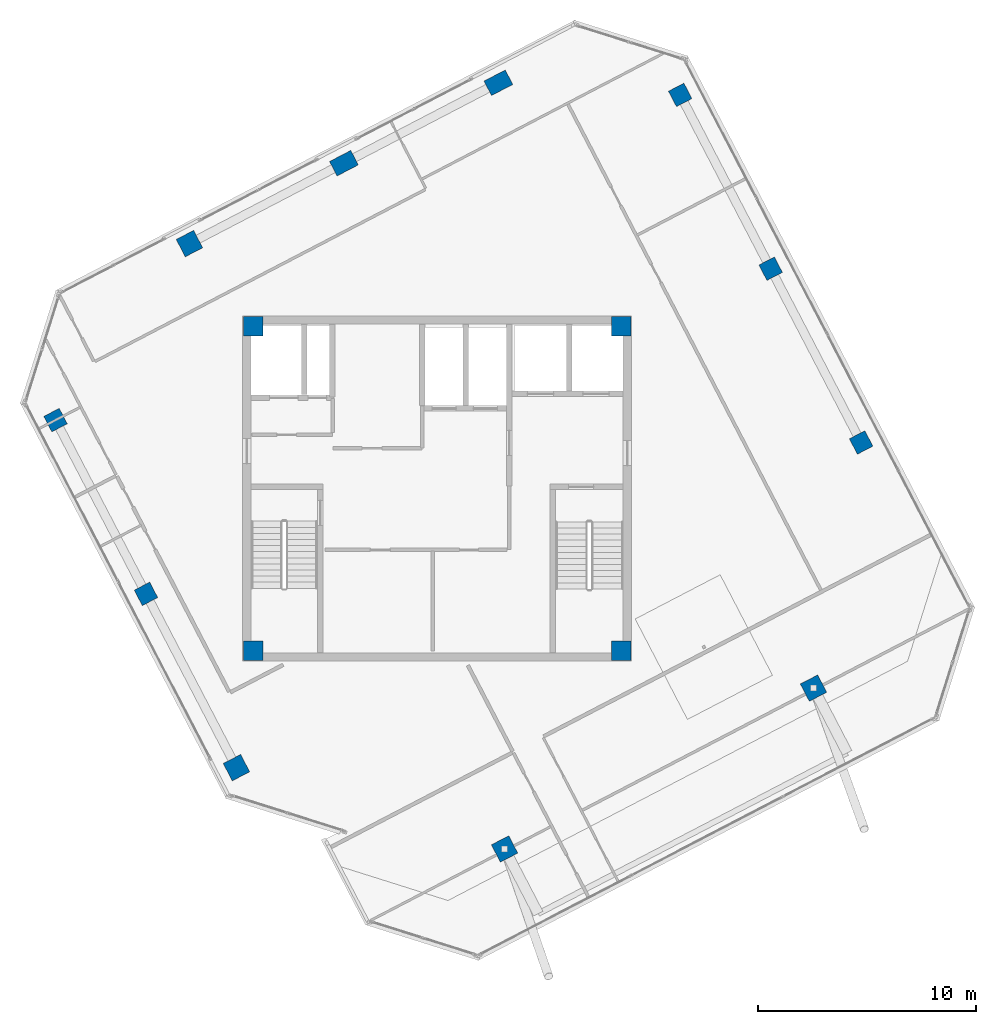
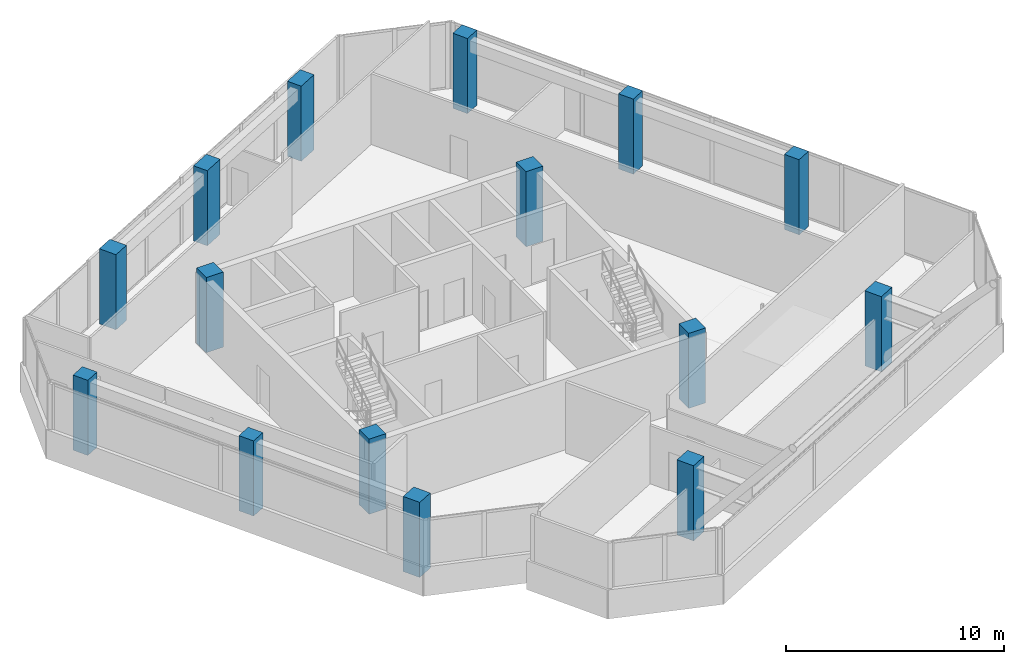
# One storey, part 1 of 17: 15 columns.
"""IFC4 building model written with IfcOpenShell, lengths in metres."""

import ifcopenshell
import ifcopenshell.guid

model = None  # the IFC model being written
_history = None  # IfcOwnerHistory: only IFC2X3 demands one
_inside = {}  # id of a spatial element -> (the spatial element, [elements in it])
_under = {}  # id of a project, library or spatial element -> (it, [spatial elements below it])
_declared = {}  # id of a project -> (the project, [libraries it declares])
_typed = {}  # id of a type object -> (the type object, [elements of that type])
_made_of = {}  # id of a material, layer set ... -> (it, [elements and type objects made of it])


def new_model(schema):
    """Start an empty IFC model of exactly this schema.

    Asked for "IFC4X3", IfcOpenShell would pick the latest addendum, in which some entities
    have other attributes; the version numbers below select the first issue.
    IFC2X3 requires an IfcOwnerHistory on every rooted entity: one is made here for all.
    """
    global model, _history
    if schema == "IFC4X3":
        model = ifcopenshell.file(schema_version=(4, 3, 0, 0))
    else:
        model = ifcopenshell.file(schema=schema)
    _inside.clear()
    _under.clear()
    _declared.clear()
    _typed.clear()
    _made_of.clear()
    _history = None
    if model.schema == "IFC2X3":
        org = make("IfcOrganization", Name="unknown")
        user = make(
            "IfcPersonAndOrganization",
            ThePerson=make("IfcPerson", FamilyName="unknown"),
            TheOrganization=org,
        )
        app = make(
            "IfcApplication",
            ApplicationDeveloper=org,
            Version="unknown",
            ApplicationFullName="unknown",
            ApplicationIdentifier="unknown",
        )
        _history = make(
            "IfcOwnerHistory",
            OwningUser=user,
            OwningApplication=app,
            ChangeAction="ADDED",
            CreationDate=0,
        )
    return model


def make(cls, **values):
    """One entity of the class cls with the attributes given. An attribute that is None is left unset."""
    return model.create_entity(
        cls, **{name: value for name, value in values.items() if value is not None}
    )


def rooted(cls, **values):
    """An entity with a GlobalId (a new one), such as an element, a storey or a relation."""
    return make(cls, GlobalId=ifcopenshell.guid.new(), OwnerHistory=_history, **values)


def si_unit(unit_type, name, prefix=None):
    """IfcSIUnit, for example si_unit("LENGTHUNIT", "METRE", prefix="MILLI")."""
    return make("IfcSIUnit", UnitType=unit_type, Prefix=prefix, Name=name)


def assignment(units):
    """IfcUnitAssignment: the units of a project."""
    return None if units is None else make("IfcUnitAssignment", Units=units)


def point(xyz):
    """IfcCartesianPoint."""
    return None if xyz is None else make("IfcCartesianPoint", Coordinates=xyz)


def direction(xyz):
    """IfcDirection."""
    return None if xyz is None else make("IfcDirection", DirectionRatios=xyz)


def frame(location, z_axis=None, x_axis=None):
    """IfcAxis2Placement3D, a coordinate frame: its origin and axes. An axis left out is left unset."""
    return make(
        "IfcAxis2Placement3D",
        Location=point(location),
        Axis=direction(z_axis),
        RefDirection=direction(x_axis),
    )


def frame_2d(location, x_axis=None):
    """IfcAxis2Placement2D, a coordinate frame in the plane: its origin and x axis."""
    return make(
        "IfcAxis2Placement2D", Location=point(location), RefDirection=direction(x_axis)
    )


def origin():
    """The frame at (0, 0, 0) with its axes left unset."""
    return frame((0.0, 0.0, 0.0))


def origin_2d():
    """The frame at (0, 0) in the plane with its x axis left unset."""
    return frame_2d((0.0, 0.0))


def place(relative_to, where):
    """IfcLocalPlacement: puts the frame where relative to a parent placement (None: the world)."""
    return make(
        "IfcLocalPlacement", PlacementRelTo=relative_to, RelativePlacement=where
    )


def context(
    kind, dimensions, precision=None, world=None, true_north=None, identifier=None
):
    """IfcGeometricRepresentationContext, for example the 3D "Model" context."""
    return make(
        "IfcGeometricRepresentationContext",
        ContextIdentifier=identifier,
        ContextType=kind,
        CoordinateSpaceDimension=dimensions,
        Precision=precision,
        WorldCoordinateSystem=world,
        TrueNorth=true_north,
    )


def subcontext(parent, identifier, kind, view, scale=None):
    """IfcGeometricRepresentationSubContext, for example "Body" below "Model"."""
    return make(
        "IfcGeometricRepresentationSubContext",
        ContextIdentifier=identifier,
        ContextType=kind,
        ParentContext=parent,
        TargetScale=scale,
        TargetView=view,
    )


def project(units=None, contexts=None):
    """IfcProject with its units and contexts."""
    return rooted(
        "IfcProject",
        Name="project",
        RepresentationContexts=contexts,
        UnitsInContext=assignment(units),
    )


def spatial(cls, under=None, at=None, **own):
    """A site, building, storey or space (cls), placed at a placement, below another one or the project."""
    s = rooted(cls, ObjectPlacement=at, **own)
    if under is not None:
        _under.setdefault(under.id(), (under, []))[1].append(s)
    return s


def profile(cls, at=None, kind="AREA", **sizes):
    """A parametric profile (cls). Its sizes go by their IFC names, for example OverallWidth=200.0."""
    return make(cls, ProfileType=kind, Position=at, **sizes)


def rectangle(**sizes):
    """IfcRectangleProfileDef."""
    return profile("IfcRectangleProfileDef", **sizes)


def extrude(swept, where, along, depth):
    """IfcExtrudedAreaSolid: the profile swept, set in the frame where, extruded along a direction by depth."""
    return make(
        "IfcExtrudedAreaSolid",
        SweptArea=swept,
        Position=where,
        ExtrudedDirection=direction(along),
        Depth=depth,
    )


def shape(context_of_items, identifier, shape_type, items):
    """IfcShapeRepresentation: the items that make up one representation, for example the "Body"."""
    return make(
        "IfcShapeRepresentation",
        ContextOfItems=context_of_items,
        RepresentationIdentifier=identifier,
        RepresentationType=shape_type,
        Items=items,
    )


def source(mapping_origin, context_of_items, identifier, shape_type, items):
    """IfcRepresentationMap: a shape defined once, which mapped items show again and again."""
    return make(
        "IfcRepresentationMap",
        MappingOrigin=mapping_origin,
        MappedRepresentation=shape(context_of_items, identifier, shape_type, items),
    )


def transform(
    local_origin,
    x_axis=None,
    y_axis=None,
    z_axis=None,
    scale=None,
    scale2=None,
    scale3=None,
    uniform=True,
):
    """IfcCartesianTransformationOperator3D, or its non-uniform kind. x_axis, y_axis, z_axis: its Axis1, 2, 3."""
    if uniform:
        return make(
            "IfcCartesianTransformationOperator3D",
            Axis1=direction(x_axis),
            Axis2=direction(y_axis),
            LocalOrigin=point(local_origin),
            Scale=scale,
            Axis3=direction(z_axis),
        )
    return make(
        "IfcCartesianTransformationOperator3DnonUniform",
        Axis1=direction(x_axis),
        Axis2=direction(y_axis),
        LocalOrigin=point(local_origin),
        Scale=scale,
        Axis3=direction(z_axis),
        Scale2=scale2,
        Scale3=scale3,
    )


def mapped(mapping_source, mapping_target):
    """IfcMappedItem: shows the shape of a source again, moved by a transform."""
    return make(
        "IfcMappedItem", MappingSource=mapping_source, MappingTarget=mapping_target
    )


def material(Name=None, Category=None):
    """IfcMaterial."""
    return make("IfcMaterial", Name=Name, Category=Category)


def material_profile(
    of_material, cross_section, Name=None, Category=None, Priority=None
):
    """IfcMaterialProfile: a cross section and its material."""
    return make(
        "IfcMaterialProfile",
        Name=Name,
        Material=of_material,
        Profile=cross_section,
        Priority=Priority,
        Category=Category,
    )


def profile_set(profiles, Name=None, composite=None):
    """IfcMaterialProfileSet."""
    return make(
        "IfcMaterialProfileSet",
        Name=Name,
        MaterialProfiles=profiles,
        CompositeProfile=composite,
    )


def made_of(thing, what):
    """Note that an element or type object is made of a material, layer set ...; save() writes the relation."""
    if what is not None:
        _made_of.setdefault(what.id(), (what, []))[1].append(thing)
    return thing


def type_object(cls, material=None, **own):
    """A type object (cls), such as IfcWallType, which elements share."""
    return made_of(rooted(cls, **own), material)


def element(
    cls,
    number,
    at=None,
    inside=None,
    cuts=None,
    type_object=None,
    material=None,
    context=None,
    identifier="Body",
    shape_type=None,
    held_by="IfcProductDefinitionShape",
    body=None,
    shapes=None,
    **own,
):
    """One element of the class cls, such as IfcWall. Its Tag is "e" and its number.

    at: its placement. inside: the storey or other place that contains it. cuts: it is an
    opening in that element (IfcRelVoidsElement). A single representation is given by context,
    identifier, shape_type and body (its items); several are given by shapes. held_by: the class
    of the entity that holds the representations. save() writes the other relations.
    """
    e = rooted(cls, Tag="e%d" % number, ObjectPlacement=at, **own)
    if body is not None:
        shapes = [shape(context, identifier, shape_type, body)]
    if shapes is not None:
        e.Representation = make(held_by, Representations=shapes)
    if inside is not None:
        _inside.setdefault(inside.id(), (inside, []))[1].append(e)
    if cuts is not None:
        rooted(
            "IfcRelVoidsElement", RelatingBuildingElement=cuts, RelatedOpeningElement=e
        )
    if type_object is not None:
        _typed.setdefault(type_object.id(), (type_object, []))[1].append(e)
    return made_of(e, material)


def aggregate(whole, parts):
    """IfcRelAggregates: a whole, such as a stair, and the parts it consists of."""
    return rooted("IfcRelAggregates", RelatingObject=whole, RelatedObjects=parts)


def save(model, path):
    """Write the relations noted so far, then the file.

    IfcRelAggregates (storeys below a building ...), IfcRelContainedInSpatialStructure (elements
    in a storey), IfcRelDefinesByType, IfcRelAssociatesMaterial and IfcRelDeclares: one each for
    every whole, place, type object, material and project.
    """
    for whole, parts in _under.values():
        aggregate(whole, parts)
    for where, things in _inside.values():
        rooted(
            "IfcRelContainedInSpatialStructure",
            RelatedElements=things,
            RelatingStructure=where,
        )
    for kind, things in _typed.values():
        rooted("IfcRelDefinesByType", RelatedObjects=things, RelatingType=kind)
    for what, things in _made_of.values():
        rooted("IfcRelAssociatesMaterial", RelatedObjects=things, RelatingMaterial=what)
    for by, libraries in _declared.values():
        rooted("IfcRelDeclares", RelatingContext=by, RelatedDefinitions=libraries)
    model.write(path)


model = new_model("IFC4")

# Units and contexts
model_context = context("Model", 3, precision=1e-05, world=origin(), true_north=direction((0.0, 1.0)))
body_context = subcontext(model_context, "Body", "Model", "MODEL_VIEW")
ifc_project = project(units=[si_unit("LENGTHUNIT", "METRE"), si_unit("AREAUNIT", "SQUARE_METRE"), si_unit("VOLUMEUNIT", "CUBIC_METRE"), si_unit("PLANEANGLEUNIT", "RADIAN"), si_unit("MASSUNIT", "GRAM", prefix="KILO")], contexts=[model_context])

# Site, building, storey
site_placement = place(None, origin())
site = spatial("IfcSite", under=ifc_project, at=site_placement, CompositionType="ELEMENT")
building_placement = place(site_placement, origin())
building = spatial("IfcBuilding", under=site, at=building_placement, Name="Torre Montelarca", CompositionType="ELEMENT")
storey_placement = place(building_placement, frame((0.0, 0.0, 332.39990234375)))
storey = spatial("IfcBuildingStorey", under=building, at=storey_placement, Name="L75", CompositionType="ELEMENT", Elevation=332.39990234375)

# Columns
ifc_material_1 = material(Name="Concrete C55/67", Category="concrete")
ifc_material_profile_1 = material_profile(ifc_material_1, rectangle(XDim=0.89990234375, YDim=0.89990234375, at=origin_2d()), Name="RC900X900", Category="concrete")
ifc_profile_set_1 = profile_set([ifc_material_profile_1], Name="Concrete C55/67")
column_type_1 = type_object("IfcColumnType", Name="COL-RC900", PredefinedType="COLUMN", material=ifc_profile_set_1)
shared_shape_1 = source(origin(), body_context, "Body", "SweptSolid", [
    extrude(rectangle(XDim=0.89990234375, YDim=0.89990234375, at=origin_2d()), origin(), (0.0, 0.0, 1.0), 4.19873046875),
])
for number, where, z_axis, x_axis, name in (
    (1, (9.550048828125, 24.550048828125, 0.000732421875), (0.0, 0.0, 1.0), (1.0, 0.0, 0.0), "L75 Plumb Core Corner Column 2D"),
    (2, (26.449951171875, 24.550048828125, 0.000732421875), (0.0, 0.0, 1.0), (1.0, 0.0, 0.0), "L75 Plumb Core Corner Column 4D"),
    (3, (9.550048828125, 39.449951171875, 0.000732421875), (0.0, 0.0, 1.0), (1.0, 0.0, 0.0), "L75 Plumb Core Corner Column 2F"),
    (4, (26.449951171875, 39.449951171875, 0.000732421875), (0.0, 0.0, 1.0), (1.0, 0.0, 0.0), "L75 Plumb Core Corner Column 4F"),
):
    element("IfcColumn", number, at=place(storey_placement, frame(where, z_axis=z_axis, x_axis=x_axis)), inside=storey, type_object=column_type_1, Name=name, PredefinedType="COLUMN", context=body_context, shape_type="MappedRepresentation", body=[
        mapped(shared_shape_1, transform((0.0, 0.0, 0.0), scale=1.0)),
    ])
ifc_material_profile_2 = material_profile(ifc_material_1, rectangle(XDim=0.89990234375, YDim=0.89990234375, at=origin_2d()), Name="RC900X900", Category="concrete")
ifc_profile_set_2 = profile_set([ifc_material_profile_2], Name="Concrete C55/67")
column_type_2 = type_object("IfcColumnType", Name="COL-RC900-EXT", PredefinedType="COLUMN", material=ifc_profile_set_2)
shared_shape_2 = source(origin(), body_context, "Body", "SweptSolid", [
    extrude(rectangle(XDim=0.89990234375, YDim=0.89990234375, at=origin_2d()), origin(), (0.0, 0.0, 1.0), 4.19873046875),
])
for number, where, z_axis, x_axis, name in (
    (5, (8.782958984375, 19.179443359375, 0.000732421875), (0.0, 0.0, 1.0), (-0.461748613235, 0.887010833178, 0.0), "L75 Column 4/CS"),
    (6, (21.099365234375, 15.4443359375, 0.000732421875), (0.0, 0.0, 1.0), (-0.461748613235, 0.887010833178, 0.0), "L75 Column 5/D"),
    (7, (35.29150390625, 22.832275390625, 0.000732421875), (0.0, 0.0, 1.0), (-0.461748613235, 0.887010833178, 0.0), "L75 Column 5/F"),
    (8, (6.623291015625, 43.252197265625, 0.000732421875), (0.0, 0.0, 1.0), (-0.461748613235, 0.887010833178, 0.0), "L75 Column 1W/D"),
):
    element("IfcColumn", number, at=place(storey_placement, frame(where, z_axis=z_axis, x_axis=x_axis)), inside=storey, type_object=column_type_2, Name=name, PredefinedType="COLUMN", context=body_context, shape_type="MappedRepresentation", body=[
        mapped(shared_shape_2, transform((0.0, 0.0, 0.0), scale=1.0)),
    ])
ifc_material_2 = material(Name="Concrete C40/50", Category="concrete")
ifc_material_profile_3 = material_profile(ifc_material_2, rectangle(XDim=0.75, YDim=1.10009765625, at=origin_2d()), Name="RC1100X750", Category="concrete")
ifc_profile_set_3 = profile_set([ifc_material_profile_3], Name="Concrete C40/50")
column_type_3 = type_object("IfcColumnType", Name="COL-PIL1100-EXT", PredefinedType="PILASTER", material=ifc_profile_set_3)
shared_shape_3 = source(origin(), body_context, "Body", "SweptSolid", [
    extrude(rectangle(XDim=0.75, YDim=1.10009765625, at=origin_2d()), origin(), (0.0, 0.0, 1.0), 4.19873046875),
])
for number, where, z_axis, x_axis, name in (
    (9, (13.719482421875, 46.946044921875, 0.000732421875), (0.0, 0.0, 1.0), (-0.461748613235, 0.887010833178, 0.0), "L75 Column 1W/E"),
    (10, (20.815673828125, 50.64013671875, 0.000732421875), (0.0, 0.0, 1.0), (-0.461748613235, 0.887010833178, 0.0), "L75 Column 1W/F"),
):
    element("IfcColumn", number, at=place(storey_placement, frame(where, z_axis=z_axis, x_axis=x_axis)), inside=storey, type_object=column_type_3, Name=name, PredefinedType="PILASTER", context=body_context, shape_type="MappedRepresentation", body=[
        mapped(shared_shape_3, transform((0.0, 0.0, 0.0), scale=1.0)),
    ])
ifc_material_profile_4 = material_profile(ifc_material_2, rectangle(XDim=0.800048828125, YDim=0.800048828125, at=origin_2d()), Name="RC800X800", Category="concrete")
ifc_profile_set_4 = profile_set([ifc_material_profile_4], Name="Concrete C40/50")
column_type_4 = type_object("IfcColumnType", Name="COL-RC800-EXT", PredefinedType="COLUMN", material=ifc_profile_set_4)
shared_shape_4 = source(origin(), body_context, "Body", "SweptSolid", [
    extrude(rectangle(XDim=0.800048828125, YDim=0.800048828125, at=origin_2d()), origin(), (0.0, 0.0, 1.0), 4.19873046875),
])
for number, where, z_axis, x_axis, name in (
    (11, (0.4716796875, 35.1455078125, 0.000732421875), (0.0, 0.0, 1.0), (-0.461748613235, 0.887010833178, 0.0), "L75 Column 2/CS"),
    (12, (29.16650390625, 50.0830078125, 0.000732421875), (0.0, 0.0, 1.0), (-0.461748613235, 0.887010833178, 0.0), "L75 Column 2/GN"),
    (13, (4.627197265625, 27.16259765625, 0.000732421875), (0.0, 0.0, 1.0), (-0.461748613235, 0.887010833178, 0.0), "L75 Column 3/CS"),
    (14, (33.322021484375, 42.10009765625, 0.000732421875), (0.0, 0.0, 1.0), (-0.461748613235, 0.887010833178, 0.0), "L75 Column 3/GN"),
    (15, (37.477783203125, 34.116943359375, 0.000732421875), (0.0, 0.0, 1.0), (-0.461748613235, 0.887010833178, 0.0), "L75 Column 4/GN"),
):
    element("IfcColumn", number, at=place(storey_placement, frame(where, z_axis=z_axis, x_axis=x_axis)), inside=storey, type_object=column_type_4, Name=name, PredefinedType="COLUMN", context=body_context, shape_type="MappedRepresentation", body=[
        mapped(shared_shape_4, transform((0.0, 0.0, 0.0), scale=1.0)),
    ])

save(model, "model.ifc")
